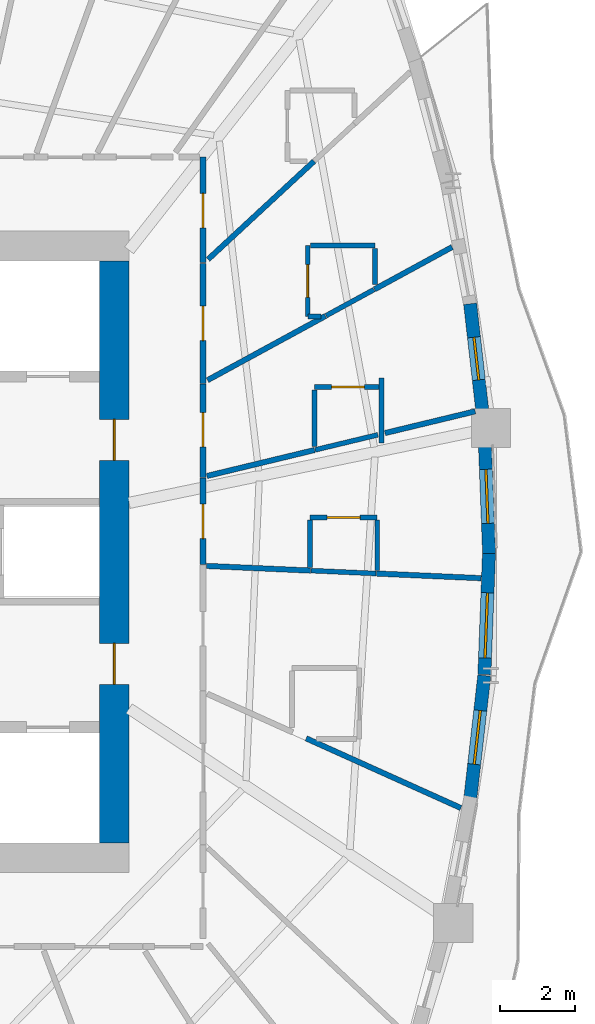
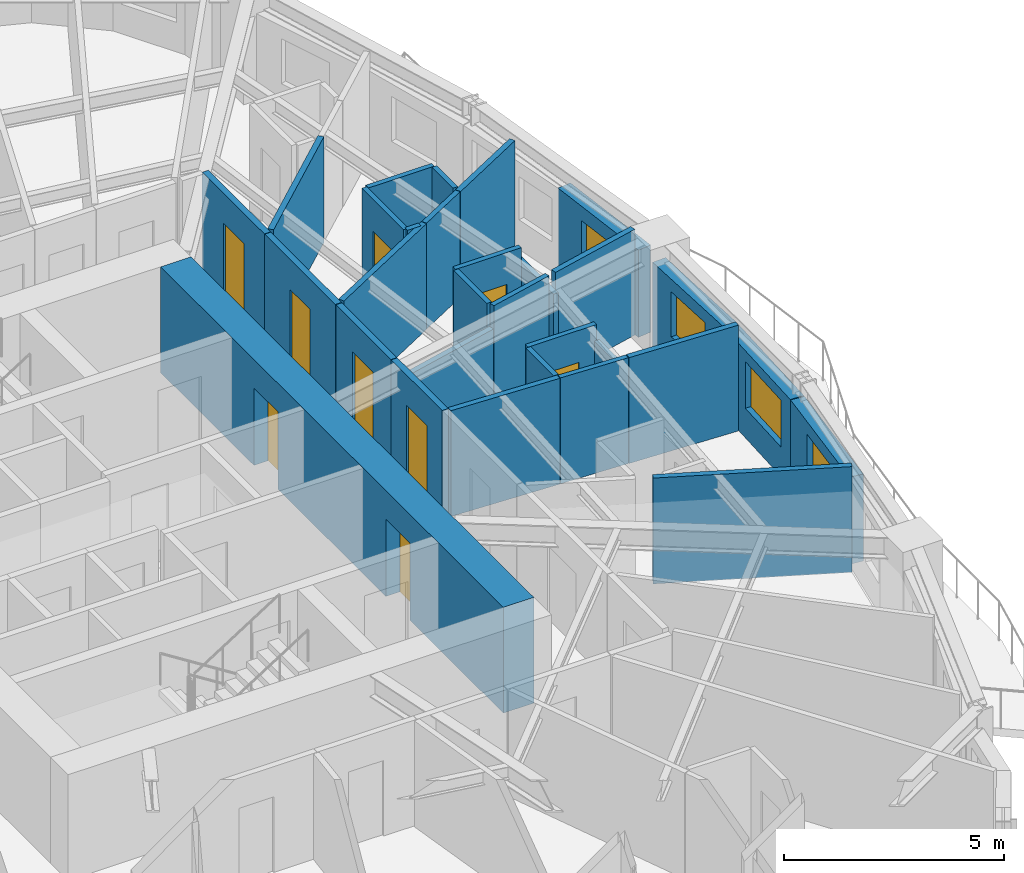
# One storey, part 7 of 14: 30 walls, 9 doors, 4 windows, 13 openings.
"""IFC4 building model written with IfcOpenShell, lengths in metres."""

from ifc_helpers import new_model, si_unit, direction, frame, frame_2d, origin, place, context, subcontext, project, spatial, rectangle, extrude, source, transform, mapped, material, layer, layer_set, type_object, element, fill, save


model = new_model("IFC4")

# Units and contexts
model_context = context("Model", 3, precision=1e-05, world=origin(), true_north=direction((0.0, 1.0)))
body_context = subcontext(model_context, "Body", "Model", "MODEL_VIEW")
ifc_project = project(units=[si_unit("LENGTHUNIT", "METRE"), si_unit("AREAUNIT", "SQUARE_METRE"), si_unit("VOLUMEUNIT", "CUBIC_METRE"), si_unit("PLANEANGLEUNIT", "RADIAN"), si_unit("MASSUNIT", "GRAM", prefix="KILO")], contexts=[model_context])

# Site, building, storey
site_placement = place(None, origin())
site = spatial("IfcSite", under=ifc_project, at=site_placement, CompositionType="ELEMENT")
building_placement = place(site_placement, origin())
building = spatial("IfcBuilding", under=site, at=building_placement, Name="Qafzar Sky-Pleat Residences", CompositionType="ELEMENT")
storey_placement = place(building_placement, frame((0.0, 0.0, 17.39990234375)))
storey = spatial("IfcBuildingStorey", under=building, at=storey_placement, Name="L04", CompositionType="ELEMENT", Elevation=17.39990234375)

# Wall, opening, door
ifc_material_1 = material(Name="Acoustic gypsum plasterboard partition", Category="gypsum")
ifc_layer_1 = layer(ifc_material_1, 0.159912109375)
ifc_layer_set_1 = layer_set([ifc_layer_1], Name="Acoustic gypsum plasterboard partition")
wall_type_1 = type_object("IfcWallType", Name="PART-COR-160", PredefinedType="PARTITIONING", material=ifc_layer_set_1)
wall_1_placement = place(storey_placement, frame((38.679931640625, 33.735107421875, 0.0), z_axis=(0.0, 0.0, 1.0), x_axis=(0.0, -1.0, 0.0)))
wall_1 = element("IfcWall", 1, at=wall_1_placement, inside=storey, type_object=wall_type_1, Name="L04 Partition Wall PART-L04-PW-007", PredefinedType="PARTITIONING", context=body_context, shape_type="SweptSolid", body=[
    extrude(rectangle(XDim=3.217041015625, YDim=0.159912109375, at=frame_2d((1.6083984375, 0.0))), origin(), (0.0, 0.0, 1.0), 2.940185546875),
])
opening_1_placement = place(wall_1_placement, frame((1.150390625, 0.0, 0.0)))
opening_1 = element("IfcOpeningElement", 2, at=opening_1_placement, cuts=wall_1, Name="Opening ID-04", PredefinedType="OPENING", context=body_context, shape_type="SweptSolid", body=[
    extrude(rectangle(XDim=0.919921875, YDim=2.10009765625, at=frame_2d((0.4599609375, 1.050048828125))), frame((0.0, 0.08984375, 0.0), z_axis=(0.0, -1.0, 0.0), x_axis=(1.0, 0.0, 0.0)), (0.0, 0.0, 1.0), 0.179931640625),
])
ifc_material_2 = material(Name="Timber-faced fire door", Category="wood")
door_type_1 = type_object("IfcDoorType", Name="DR-BED-920", OperationType="NOTDEFINED", PredefinedType="DOOR", material=ifc_material_2)
shared_shape_1 = source(origin(), body_context, "Body", "SweptSolid", [
    extrude(rectangle(XDim=0.919921875, YDim=2.10009765625, at=frame_2d((0.4599609375, 1.050048828125))), frame((0.0, 0.02490234375, 0.0), z_axis=(0.0, -1.0, 0.0), x_axis=(1.0, 0.0, 0.0)), (0.0, 0.0, 1.0), 0.050048828125),
])
door_1_placement = place(opening_1_placement, origin())
door_1 = element("IfcDoor", 3, at=door_1_placement, inside=storey, type_object=door_type_1, Name="L04 Co-Living Bedroom 14 Door", OperationType="SINGLE_SWING_RIGHT", OverallHeight=2.10009765625, OverallWidth=0.919921875, PredefinedType="DOOR", context=body_context, shape_type="MappedRepresentation", body=[
    mapped(shared_shape_1, transform((0.0, 0.0, 0.0), x_axis=(1.0, 0.0, 0.0), y_axis=(0.0, 1.0, 0.0), z_axis=(0.0, 0.0, 1.0), scale=1.0)),
])
fill(opening_1, door_1)

wall_2_placement = place(storey_placement, frame((38.679931640625, 36.580078125, 0.0), z_axis=(0.0, 0.0, 1.0), x_axis=(0.0, -1.0, 0.0)))
wall_2 = element("IfcWall", 4, at=wall_2_placement, inside=storey, type_object=wall_type_1, Name="L04 Partition Wall PART-L04-PW-009", PredefinedType="PARTITIONING", context=body_context, shape_type="SweptSolid", body=[
    extrude(rectangle(XDim=2.830078125, YDim=0.159912109375, at=frame_2d((1.4150390625, 0.0))), origin(), (0.0, 0.0, 1.0), 2.940185546875),
])
opening_2_placement = place(wall_2_placement, frame((0.972900390625, 0.0, 0.0)))
opening_2 = element("IfcOpeningElement", 5, at=opening_2_placement, cuts=wall_2, Name="Opening ID-04", PredefinedType="OPENING", context=body_context, shape_type="SweptSolid", body=[
    extrude(rectangle(XDim=0.919921875, YDim=2.10009765625, at=frame_2d((0.4599609375, 1.050048828125))), frame((0.0, 0.08984375, 0.0), z_axis=(0.0, -1.0, 0.0), x_axis=(1.0, 0.0, 0.0)), (0.0, 0.0, 1.0), 0.179931640625),
])
door_2_placement = place(opening_2_placement, origin())
door_2 = element("IfcDoor", 6, at=door_2_placement, inside=storey, type_object=door_type_1, Name="L04 Co-Living Bedroom 13 Door", OperationType="SINGLE_SWING_RIGHT", OverallHeight=2.10009765625, OverallWidth=0.919921875, PredefinedType="DOOR", context=body_context, shape_type="MappedRepresentation", body=[
    mapped(shared_shape_1, transform((0.0, 0.0, 0.0), x_axis=(1.0, 0.0, 0.0), y_axis=(0.0, 1.0, 0.0), z_axis=(0.0, 0.0, 1.0), scale=1.0)),
])
fill(opening_2, door_2)

wall_3_placement = place(storey_placement, frame((38.679931640625, 30.5029296875, 0.0), z_axis=(0.0, 0.0, 1.0), x_axis=(0.0, -1.0, 0.0)))
wall_3 = element("IfcWall", 7, at=wall_3_placement, inside=storey, type_object=wall_type_1, Name="L04 Partition Wall PART-L04-PW-012", PredefinedType="PARTITIONING", context=body_context, shape_type="SweptSolid", body=[
    extrude(rectangle(XDim=2.510009765625, YDim=0.159912109375, at=frame_2d((1.2548828125, 0.0))), origin(), (0.0, 0.0, 1.0), 2.940185546875),
])
opening_3_placement = place(wall_3_placement, frame((0.771484375, 0.0, 0.0)))
opening_3 = element("IfcOpeningElement", 8, at=opening_3_placement, cuts=wall_3, Name="Opening ID-04", PredefinedType="OPENING", context=body_context, shape_type="SweptSolid", body=[
    extrude(rectangle(XDim=0.919921875, YDim=2.10009765625, at=frame_2d((0.4599609375, 1.050048828125))), frame((0.0, 0.08984375, 0.0), z_axis=(0.0, -1.0, 0.0), x_axis=(1.0, 0.0, 0.0)), (0.0, 0.0, 1.0), 0.179931640625),
])
door_3_placement = place(opening_3_placement, origin())
door_3 = element("IfcDoor", 9, at=door_3_placement, inside=storey, type_object=door_type_1, Name="L04 Co-Living Bedroom 11 Door", OperationType="SINGLE_SWING_LEFT", OverallHeight=2.10009765625, OverallWidth=0.919921875, PredefinedType="DOOR", context=body_context, shape_type="MappedRepresentation", body=[
    mapped(shared_shape_1, transform((0.0, 0.0, 0.0), x_axis=(1.0, 0.0, 0.0), y_axis=(0.0, 1.0, 0.0), z_axis=(0.0, 0.0, 1.0), scale=1.0)),
])
fill(opening_3, door_3)

wall_4_placement = place(storey_placement, frame((38.679931640625, 27.97802734375, 0.0), z_axis=(0.0, 0.0, 1.0), x_axis=(0.0, -1.0, 0.0)))
wall_4 = element("IfcWall", 10, at=wall_4_placement, inside=storey, type_object=wall_type_1, Name="L04 Partition Wall PART-L04-PW-015", PredefinedType="PARTITIONING", context=body_context, shape_type="SweptSolid", body=[
    extrude(rectangle(XDim=2.321044921875, YDim=0.159912109375, at=frame_2d((1.16064453125, 0.0))), origin(), (0.0, 0.0, 1.0), 2.940185546875),
])
opening_4_placement = place(wall_4_placement, frame((0.700439453125, 0.0, 0.0)))
opening_4 = element("IfcOpeningElement", 11, at=opening_4_placement, cuts=wall_4, Name="Opening ID-04", PredefinedType="OPENING", context=body_context, shape_type="SweptSolid", body=[
    extrude(rectangle(XDim=0.919921875, YDim=2.10009765625, at=frame_2d((0.4599609375, 1.050048828125))), frame((0.0, 0.08984375, 0.0), z_axis=(0.0, -1.0, 0.0), x_axis=(1.0, 0.0, 0.0)), (0.0, 0.0, 1.0), 0.179931640625),
])
door_4_placement = place(opening_4_placement, origin())
door_4 = element("IfcDoor", 12, at=door_4_placement, inside=storey, type_object=door_type_1, Name="L04 Co-Living Bedroom 12 Door", OperationType="SINGLE_SWING_RIGHT", OverallHeight=2.10009765625, OverallWidth=0.919921875, PredefinedType="DOOR", context=body_context, shape_type="MappedRepresentation", body=[
    mapped(shared_shape_1, transform((0.0, 0.0, 0.0), x_axis=(1.0, 0.0, 0.0), y_axis=(0.0, 1.0, 0.0), z_axis=(0.0, 0.0, 1.0), scale=1.0)),
])
fill(opening_4, door_4)

# Walls
ifc_layer_2 = layer(ifc_material_1, 0.14501953125)
ifc_layer_set_2 = layer_set([ifc_layer_2], Name="Acoustic gypsum plasterboard partition")
wall_type_2 = type_object("IfcWallType", Name="PART-UNIT-145", PredefinedType="PARTITIONING", material=ifc_layer_set_2)
wall_5_placement = place(storey_placement, frame((41.447998046875, 21.0009765625, 0.0), z_axis=(0.0, 0.0, 1.0), x_axis=(0.911733501253, -0.410782208346, 0.0)))
element("IfcWall", 13, at=wall_5_placement, inside=storey, type_object=wall_type_2, Name="L04 Partition Wall PART-L04-PW-051", PredefinedType="PARTITIONING", context=body_context, shape_type="SweptSolid", body=[
    extrude(rectangle(XDim=4.546142578125, YDim=0.14501953125, at=frame_2d((2.27294921875, 0.0))), origin(), (0.0, 0.0, 1.0), 2.940185546875),
])
wall_6_placement = place(storey_placement, frame((38.815185546875, 33.839111328125, 0.0), z_axis=(0.0, 0.0, 1.0), x_axis=(0.733718730688, 0.67945332749, 0.0)))
element("IfcWall", 14, at=wall_6_placement, inside=storey, type_object=wall_type_2, Name="L04 Partition Wall PART-L04-PW-054", PredefinedType="PARTITIONING", context=body_context, shape_type="SweptSolid", body=[
    extrude(rectangle(XDim=3.869140625, YDim=0.14501953125, at=frame_2d((1.9345703125, 0.0))), origin(), (0.0, 0.0, 1.0), 2.940185546875),
])
wall_7_placement = place(storey_placement, frame((38.8017578125, 30.601318359375, 0.0), z_axis=(0.0, 0.0, 1.0), x_axis=(0.878335610987, 0.478044510973, 0.0)))
element("IfcWall", 15, at=wall_7_placement, inside=storey, type_object=wall_type_2, Name="L04 Partition Wall PART-L04-PW-055", PredefinedType="PARTITIONING", context=body_context, shape_type="SweptSolid", body=[
    extrude(rectangle(XDim=3.6015625, YDim=0.14501953125, at=frame_2d((1.80078125, 0.0))), origin(), (0.0, 0.0, 1.0), 2.940185546875),
])
wall_8_placement = place(storey_placement, frame((38.784912109375, 28.033203125, 0.0), z_axis=(0.0, 0.0, 1.0), x_axis=(0.972108739033, 0.234530593943, 0.0)))
element("IfcWall", 16, at=wall_8_placement, inside=storey, type_object=wall_type_2, Name="L04 Partition Wall PART-L04-PW-059", PredefinedType="PARTITIONING", context=body_context, shape_type="SweptSolid", body=[
    extrude(rectangle(XDim=2.966796875, YDim=0.14501953125, at=frame_2d((1.4833984375, 0.0))), origin(), (0.0, 0.0, 1.0), 2.30810546875),
])
wall_9_placement = place(storey_placement, frame((38.771240234375, 25.622802734375, 0.0), z_axis=(0.0, 0.0, 1.0), x_axis=(0.999004404192, -0.044611662199, 0.0)))
element("IfcWall", 17, at=wall_9_placement, inside=storey, type_object=wall_type_2, Name="L04 Partition Wall PART-L04-PW-061", PredefinedType="PARTITIONING", context=body_context, shape_type="SweptSolid", body=[
    extrude(rectangle(XDim=2.79638671875, YDim=0.14501953125, at=frame_2d((1.398193359375, 0.0))), origin(), (0.0, 0.0, 1.0), 2.940185546875),
])
wall_10_placement = place(storey_placement, frame((43.3349609375, 25.4189453125, 0.0), z_axis=(0.0, 0.0, 1.0), x_axis=(0.999002708223, -0.04464962444, 0.0)))
element("IfcWall", 18, at=wall_10_placement, inside=storey, type_object=wall_type_2, Name="L04 Partition Wall PART-L04-PW-062", PredefinedType="PARTITIONING", context=body_context, shape_type="SweptSolid", body=[
    extrude(rectangle(XDim=2.804931640625, YDim=0.14501953125, at=frame_2d((1.40234375, 0.0))), origin(), (0.0, 0.0, 1.0), 2.940185546875),
])
wall_11_placement = place(storey_placement, frame((43.558837890625, 29.18359375, 0.0), z_axis=(0.0, 0.0, 1.0), x_axis=(0.972124665715, 0.23446456941, 0.0)))
element("IfcWall", 19, at=wall_11_placement, inside=storey, type_object=wall_type_2, Name="L04 Partition Wall PART-L04-PW-064", PredefinedType="PARTITIONING", context=body_context, shape_type="SweptSolid", body=[
    extrude(rectangle(XDim=2.486572265625, YDim=0.14501953125, at=frame_2d((1.2431640625, 0.0))), origin(), (0.0, 0.0, 1.0), 2.940185546875),
])
wall_12_placement = place(storey_placement, frame((43.27490234375, 33.035888671875, 0.0), z_axis=(0.0, 0.0, 1.0), x_axis=(0.878237509553, 0.478224713721, 0.0)))
element("IfcWall", 20, at=wall_12_placement, inside=storey, type_object=wall_type_2, Name="L04 Partition Wall PART-L04-PW-065", PredefinedType="PARTITIONING", context=body_context, shape_type="SweptSolid", body=[
    extrude(rectangle(XDim=2.372314453125, YDim=0.14501953125, at=frame_2d((1.18603515625, 0.0))), origin(), (0.0, 0.0, 1.0), 2.940185546875),
])

# Wall, opening, door
ifc_material_3 = material(Name="Moisture-resistant gypsum partition", Category="gypsum")
ifc_layer_3 = layer(ifc_material_3, 0.1298828125)
ifc_layer_set_3 = layer_set([ifc_layer_3], Name="Moisture-resistant gypsum partition")
wall_type_3 = type_object("IfcWallType", Name="PART-WET-130", PredefinedType="PARTITIONING", material=ifc_layer_set_3)
wall_13_placement = place(storey_placement, frame((41.489990234375, 34.2080078125, 0.0), z_axis=(0.0, 0.0, 1.0), x_axis=(0.0, -1.0, 0.0)))
wall_13 = element("IfcWall", 21, at=wall_13_placement, inside=storey, type_object=wall_type_3, Name="L04 Partition Wall PART-L04-PW-025", PredefinedType="PARTITIONING", context=body_context, shape_type="SweptSolid", body=[
    extrude(rectangle(XDim=1.89990234375, YDim=0.1298828125, at=frame_2d((0.949951171875, 0.0))), origin(), (0.0, 0.0, 1.0), 2.940185546875),
])
opening_5_placement = place(wall_13_placement, frame((0.510009765625, 0.0, 0.0)))
opening_5 = element("IfcOpeningElement", 22, at=opening_5_placement, cuts=wall_13, Name="Opening ID-07", PredefinedType="OPENING", context=body_context, shape_type="SweptSolid", body=[
    extrude(rectangle(XDim=0.8798828125, YDim=2.050048828125, at=frame_2d((0.43994140625, 1.02490234375))), frame((0.0, 0.074951171875, 0.0), z_axis=(0.0, -1.0, 0.0), x_axis=(1.0, 0.0, 0.0)), (0.0, 0.0, 1.0), 0.14990234375),
])
door_type_2 = type_object("IfcDoorType", Name="DR-WET-880", OperationType="NOTDEFINED", PredefinedType="DOOR", material=ifc_material_2)
shared_shape_2 = source(origin(), body_context, "Body", "SweptSolid", [
    extrude(rectangle(XDim=0.8798828125, YDim=2.050048828125, at=frame_2d((0.43994140625, 1.02490234375))), frame((0.0, 0.02490234375, 0.0), z_axis=(0.0, -1.0, 0.0), x_axis=(1.0, 0.0, 0.0)), (0.0, 0.0, 1.0), 0.050048828125),
])
door_5_placement = place(opening_5_placement, origin())
door_5 = element("IfcDoor", 23, at=door_5_placement, inside=storey, type_object=door_type_2, Name="L04 En-suite Bathroom 14 Door", OperationType="SINGLE_SWING_RIGHT", OverallHeight=2.050048828125, OverallWidth=0.8798828125, PredefinedType="DOOR", context=body_context, shape_type="MappedRepresentation", body=[
    mapped(shared_shape_2, transform((0.0, 0.0, 0.0), x_axis=(1.0, 0.0, 0.0), y_axis=(0.0, 1.0, 0.0), z_axis=(0.0, 0.0, 1.0), scale=1.0)),
])
fill(opening_5, door_5)

wall_14_placement = place(storey_placement, frame((43.39599609375, 30.41796875, 0.0), z_axis=(0.0, 0.0, 1.0), x_axis=(-1.0, 0.0, 0.0)))
wall_14 = element("IfcWall", 24, at=wall_14_placement, inside=storey, type_object=wall_type_3, Name="L04 Partition Wall PART-L04-PW-027", PredefinedType="PARTITIONING", context=body_context, shape_type="SweptSolid", body=[
    extrude(rectangle(XDim=1.72705078125, YDim=0.1298828125, at=frame_2d((0.863525390625, 0.0))), origin(), (0.0, 0.0, 1.0), 2.940185546875),
])
opening_6_placement = place(wall_14_placement, frame((0.386962890625, 0.0, 0.0)))
opening_6 = element("IfcOpeningElement", 25, at=opening_6_placement, cuts=wall_14, Name="Opening ID-07", PredefinedType="OPENING", context=body_context, shape_type="SweptSolid", body=[
    extrude(rectangle(XDim=0.8798828125, YDim=2.050048828125, at=frame_2d((0.43994140625, 1.02490234375))), frame((0.0, 0.074951171875, 0.0), z_axis=(0.0, -1.0, 0.0), x_axis=(1.0, 0.0, 0.0)), (0.0, 0.0, 1.0), 0.14990234375),
])
door_6_placement = place(opening_6_placement, origin())
door_6 = element("IfcDoor", 26, at=door_6_placement, inside=storey, type_object=door_type_2, Name="L04 En-suite Bathroom 11 Door", OperationType="SINGLE_SWING_RIGHT", OverallHeight=2.050048828125, OverallWidth=0.8798828125, PredefinedType="DOOR", context=body_context, shape_type="MappedRepresentation", body=[
    mapped(shared_shape_2, transform((0.0, 0.0, 0.0), x_axis=(1.0, 0.0, 0.0), y_axis=(0.0, 1.0, 0.0), z_axis=(0.0, 0.0, 1.0), scale=1.0)),
])
fill(opening_6, door_6)

wall_15_placement = place(storey_placement, frame((43.35009765625, 26.922119140625, 0.0), z_axis=(0.0, 0.0, 1.0), x_axis=(-1.0, 0.0, 0.0)))
wall_15 = element("IfcWall", 27, at=wall_15_placement, inside=storey, type_object=wall_type_3, Name="L04 Partition Wall PART-L04-PW-028", PredefinedType="PARTITIONING", context=body_context, shape_type="SweptSolid", body=[
    extrude(rectangle(XDim=1.800048828125, YDim=0.1298828125, at=frame_2d((0.89990234375, 0.0))), origin(), (0.0, 0.0, 1.0), 2.940185546875),
])
opening_7_placement = place(wall_15_placement, frame((0.4599609375, 0.0, 0.0)))
opening_7 = element("IfcOpeningElement", 28, at=opening_7_placement, cuts=wall_15, Name="Opening ID-07", PredefinedType="OPENING", context=body_context, shape_type="SweptSolid", body=[
    extrude(rectangle(XDim=0.8798828125, YDim=2.050048828125, at=frame_2d((0.43994140625, 1.02490234375))), frame((0.0, 0.074951171875, 0.0), z_axis=(0.0, -1.0, 0.0), x_axis=(1.0, 0.0, 0.0)), (0.0, 0.0, 1.0), 0.14990234375),
])
door_7_placement = place(opening_7_placement, origin())
door_7 = element("IfcDoor", 29, at=door_7_placement, inside=storey, type_object=door_type_2, Name="L04 En-suite Bathroom 12 Door", OperationType="SINGLE_SWING_LEFT", OverallHeight=2.050048828125, OverallWidth=0.8798828125, PredefinedType="DOOR", context=body_context, shape_type="MappedRepresentation", body=[
    mapped(shared_shape_2, transform((0.0, 0.0, 0.0), x_axis=(1.0, 0.0, 0.0), y_axis=(0.0, 1.0, 0.0), z_axis=(0.0, 0.0, 1.0), scale=1.0)),
])
fill(opening_7, door_7)

# Walls
wall_16_placement = place(storey_placement, frame((41.68359375, 28.732421875, 0.0), z_axis=(0.0, 0.0, 1.0), x_axis=(0.972269386076, 0.233863722924, 0.0)))
element("IfcWall", 30, at=wall_16_placement, inside=storey, type_object=wall_type_3, Name="L04 Partition Wall PART-L04-PW-071", PredefinedType="PARTITIONING", context=body_context, shape_type="SweptSolid", body=[
    extrude(rectangle(XDim=1.73095703125, YDim=0.1298828125, at=frame_2d((0.865478515625, 0.0))), origin(), (0.0, 0.0, 1.0), 2.940185546875),
])
wall_17_placement = place(storey_placement, frame((41.56298828125, 34.2080078125, 0.0), z_axis=(0.0, 0.0, 1.0), x_axis=(1.0, 0.0, 0.0)))
element("IfcWall", 31, at=wall_17_placement, inside=storey, type_object=wall_type_3, Name="L04 Partition Wall PART-L04-PW-078", PredefinedType="PARTITIONING", context=body_context, shape_type="SweptSolid", body=[
    extrude(rectangle(XDim=1.72705078125, YDim=0.1298828125, at=frame_2d((0.863525390625, 0.0))), origin(), (0.0, 0.0, 1.0), 2.940185546875),
])
wall_18_placement = place(storey_placement, frame((41.580078125, 25.4970703125, 0.0), z_axis=(0.0, 0.0, 1.0), x_axis=(0.998993531001, -0.04485448715, 0.0)))
element("IfcWall", 32, at=wall_18_placement, inside=storey, type_object=wall_type_3, Name="L04 Partition Wall PART-L04-PW-081", PredefinedType="PARTITIONING", context=body_context, shape_type="SweptSolid", body=[
    extrude(rectangle(XDim=1.74169921875, YDim=0.1298828125, at=frame_2d((0.870849609375, 0.0))), origin(), (0.0, 0.0, 1.0), 2.940185546875),
])
wall_19_placement = place(storey_placement, frame((41.6689453125, 28.827392578125, 0.0), z_axis=(0.0, 0.0, 1.0), x_axis=(0.0, 1.0, 0.0)))
element("IfcWall", 33, at=wall_19_placement, inside=storey, type_object=wall_type_3, Name="L04 Partition Wall PART-L04-PW-083", PredefinedType="PARTITIONING", context=body_context, shape_type="SweptSolid", body=[
    extrude(rectangle(XDim=1.517578125, YDim=0.1298828125, at=frame_2d((0.7587890625, 0.0))), origin(), (0.0, 0.0, 1.0), 2.940185546875),
])
wall_20_placement = place(storey_placement, frame((43.35009765625, 25.50146484375, 0.0), z_axis=(0.0, 0.0, 1.0), x_axis=(0.0, 1.0, 0.0)))
element("IfcWall", 34, at=wall_20_placement, inside=storey, type_object=wall_type_3, Name="L04 Partition Wall PART-L04-PW-086", PredefinedType="PARTITIONING", context=body_context, shape_type="SweptSolid", body=[
    extrude(rectangle(XDim=1.34765625, YDim=0.1298828125, at=frame_2d((0.673828125, 0.0))), origin(), (0.0, 0.0, 1.0), 2.508056640625),
])
wall_21_placement = place(storey_placement, frame((41.978271484375, 32.330078125, 0.0), z_axis=(0.0, 0.0, 1.0), x_axis=(0.878138043068, 0.478407334097, 0.0)))
element("IfcWall", 35, at=wall_21_placement, inside=storey, type_object=wall_type_3, Name="L04 Partition Wall PART-L04-PW-088", PredefinedType="PARTITIONING", context=body_context, shape_type="SweptSolid", body=[
    extrude(rectangle(XDim=1.461669921875, YDim=0.1298828125, at=frame_2d((0.73095703125, 0.0))), origin(), (0.0, 0.0, 1.0), 2.940185546875),
])
wall_22_placement = place(storey_placement, frame((41.550048828125, 25.58251953125, 0.0), z_axis=(0.0, 0.0, 1.0), x_axis=(0.0, 1.0, 0.0)))
element("IfcWall", 36, at=wall_22_placement, inside=storey, type_object=wall_type_3, Name="L04 Partition Wall PART-L04-PW-090", PredefinedType="PARTITIONING", context=body_context, shape_type="SweptSolid", body=[
    extrude(rectangle(XDim=1.2666015625, YDim=0.1298828125, at=frame_2d((0.63330078125, 0.0))), origin(), (0.0, 0.0, 1.0), 2.940185546875),
])
wall_23_placement = place(storey_placement, frame((43.468994140625, 28.922119140625, 0.0), z_axis=(0.0, 0.0, 1.0), x_axis=(0.0, 1.0, 0.0)))
element("IfcWall", 37, at=wall_23_placement, inside=storey, type_object=wall_type_3, Name="L04 Partition Wall PART-L04-PW-093", PredefinedType="PARTITIONING", context=body_context, shape_type="SweptSolid", body=[
    extrude(rectangle(XDim=1.73583984375, YDim=0.1298828125, at=frame_2d((0.867919921875, 0.0))), origin(), (0.0, 0.0, 1.0), 2.508056640625),
])
wall_24_placement = place(storey_placement, frame((43.2900390625, 33.1708984375, 0.0), z_axis=(0.0, 0.0, 1.0), x_axis=(0.0, 1.0, 0.0)))
element("IfcWall", 38, at=wall_24_placement, inside=storey, type_object=wall_type_3, Name="L04 Partition Wall PART-L04-PW-095", PredefinedType="PARTITIONING", context=body_context, shape_type="SweptSolid", body=[
    extrude(rectangle(XDim=0.964111328125, YDim=0.1298828125, at=frame_2d((0.48193359375, 0.0))), origin(), (0.0, 0.0, 1.0), 2.940185546875),
])
wall_25_placement = place(storey_placement, frame((41.489990234375, 32.30810546875, 0.0), z_axis=(0.0, 0.0, 1.0), x_axis=(1.0, 0.0, 0.0)))
element("IfcWall", 39, at=wall_25_placement, inside=storey, type_object=wall_type_3, Name="L04 Partition Wall PART-L04-PW-101", PredefinedType="PARTITIONING", context=body_context, shape_type="SweptSolid", body=[
    extrude(rectangle(XDim=0.35693359375, YDim=0.1298828125, at=frame_2d((0.178466796875, 0.0))), origin(), (0.0, 0.0, 1.0), 2.940185546875),
])

# Wall, opening, window
ifc_material_4 = material(Name="Precast concrete C40/50 with honed Riyadh limestone", Category="concrete")
ifc_layer_4 = layer(ifc_material_4, 0.35009765625)
ifc_layer_set_4 = layer_set([ifc_layer_4], Name="Precast concrete C40/50 with honed Riyadh limestone")
wall_type_4 = type_object("IfcWallType", Name="WALL-EXT-350", PredefinedType="SOLIDWALL", material=ifc_layer_set_4)
wall_26_placement = place(storey_placement, frame((45.840576171875, 19.35009765625, 0.0), z_axis=(0.0, 0.0, 1.0), x_axis=(0.113290074291, 0.993561955324, 0.0)))
wall_26 = element("IfcWall", 40, at=wall_26_placement, inside=storey, type_object=wall_type_4, Name="L04 Limestone Facade Wall 26", PredefinedType="SOLIDWALL", context=body_context, shape_type="SweptSolid", body=[
    extrude(rectangle(XDim=3.355224609375, YDim=0.35009765625, at=frame_2d((1.677734375, 0.0))), origin(), (0.0, 0.0, 1.0), 2.420166015625),
])
opening_8_placement = place(wall_26_placement, frame((0.962646484375, 0.0, 0.820068359375)))
opening_8 = element("IfcOpeningElement", 41, at=opening_8_placement, cuts=wall_26, Name="Opening WN-15", PredefinedType="OPENING", context=body_context, shape_type="SweptSolid", body=[
    extrude(rectangle(XDim=1.449951171875, YDim=1.25, at=frame_2d((0.72509765625, 0.625))), frame((0.0, 0.18505859375, 0.0), z_axis=(0.0, -1.0, 0.0), x_axis=(1.0, 0.0, 0.0)), (0.0, 0.0, 1.0), 0.3701171875),
])
ifc_material_5 = material(Name="Solar-control low-E glass in bronze aluminium frame", Category="glass")
window_type_1 = type_object("IfcWindowType", Name="WIN-15", PartitioningType="SINGLE_PANEL", PredefinedType="WINDOW", material=ifc_material_5)
shared_shape_3 = source(origin(), body_context, "Body", "SweptSolid", [
    extrude(rectangle(XDim=1.449951171875, YDim=1.25, at=frame_2d((0.72509765625, 0.625))), frame((0.0, 0.030029296875, 0.0), z_axis=(0.0, -1.0, 0.0), x_axis=(1.0, 0.0, 0.0)), (0.0, 0.0, 1.0), 0.06005859375),
])
window_1_placement = place(opening_8_placement, origin())
window_1 = element("IfcWindow", 42, at=window_1_placement, inside=storey, type_object=window_type_1, Name="L04 Punched Facade Window 26", OverallHeight=1.25, OverallWidth=1.449951171875, PartitioningType="SINGLE_PANEL", PredefinedType="WINDOW", context=body_context, shape_type="MappedRepresentation", body=[
    mapped(shared_shape_3, transform((0.0, 0.0, 0.0), x_axis=(1.0, 0.0, 0.0), y_axis=(0.0, 1.0, 0.0), z_axis=(0.0, 0.0, 1.0), scale=1.0)),
])
fill(opening_8, window_1)

wall_27_placement = place(storey_placement, frame((46.22265625, 22.710693359375, 0.0), z_axis=(0.0, 0.0, 1.0), x_axis=(0.037977854684, 0.999278581054, 0.0)))
wall_27 = element("IfcWall", 43, at=wall_27_placement, inside=storey, type_object=wall_type_4, Name="L04 Limestone Facade Wall 27", PredefinedType="SOLIDWALL", context=body_context, shape_type="SweptSolid", body=[
    extrude(rectangle(XDim=3.33642578125, YDim=0.35009765625, at=frame_2d((1.668212890625, 0.0))), origin(), (0.0, 0.0, 1.0), 2.420166015625),
])
opening_9_placement = place(wall_27_placement, frame((0.443603515625, 0.0, 0.820068359375)))
opening_9 = element("IfcOpeningElement", 44, at=opening_9_placement, cuts=wall_27, Name="Opening WN-14", PredefinedType="OPENING", context=body_context, shape_type="SweptSolid", body=[
    extrude(rectangle(XDim=1.75, YDim=1.300048828125, at=frame_2d((0.875, 0.64990234375))), frame((0.0, 0.18505859375, 0.0), z_axis=(0.0, -1.0, 0.0), x_axis=(1.0, 0.0, 0.0)), (0.0, 0.0, 1.0), 0.3701171875),
])
window_type_2 = type_object("IfcWindowType", Name="WIN-14", PartitioningType="DOUBLE_PANEL_VERTICAL", PredefinedType="WINDOW", material=ifc_material_5)
shared_shape_4 = source(origin(), body_context, "Body", "SweptSolid", [
    extrude(rectangle(XDim=1.75, YDim=1.300048828125, at=frame_2d((0.875, 0.64990234375))), frame((0.0, 0.030029296875, 0.0), z_axis=(0.0, -1.0, 0.0), x_axis=(1.0, 0.0, 0.0)), (0.0, 0.0, 1.0), 0.06005859375),
])
window_2_placement = place(opening_9_placement, origin())
window_2 = element("IfcWindow", 45, at=window_2_placement, inside=storey, type_object=window_type_2, Name="L04 Punched Facade Window 27", OverallHeight=1.300048828125, OverallWidth=1.75, PartitioningType="SINGLE_PANEL", PredefinedType="WINDOW", context=body_context, shape_type="MappedRepresentation", body=[
    mapped(shared_shape_4, transform((0.0, 0.0, 0.0), x_axis=(1.0, 0.0, 0.0), y_axis=(0.0, 1.0, 0.0), z_axis=(0.0, 0.0, 1.0), scale=1.0)),
])
fill(opening_9, window_2)

wall_28_placement = place(storey_placement, frame((46.349365234375, 25.955322265625, 0.0), z_axis=(0.0, 0.0, 1.0), x_axis=(-0.038022046735, 0.999276900545, 0.0)))
wall_28 = element("IfcWall", 46, at=wall_28_placement, inside=storey, type_object=wall_type_4, Name="L04 Limestone Facade Wall 28", PredefinedType="SOLIDWALL", context=body_context, shape_type="SweptSolid", body=[
    extrude(rectangle(XDim=3.056396484375, YDim=0.35009765625, at=frame_2d((1.5283203125, 0.0))), origin(), (0.0, 0.0, 1.0), 2.420166015625),
])
opening_10_placement = place(wall_28_placement, frame((0.80810546875, 0.0, 0.820068359375)))
opening_10 = element("IfcOpeningElement", 47, at=opening_10_placement, cuts=wall_28, Name="Opening WN-15", PredefinedType="OPENING", context=body_context, shape_type="SweptSolid", body=[
    extrude(rectangle(XDim=1.449951171875, YDim=1.25, at=frame_2d((0.72509765625, 0.625))), frame((0.0, 0.18505859375, 0.0), z_axis=(0.0, -1.0, 0.0), x_axis=(1.0, 0.0, 0.0)), (0.0, 0.0, 1.0), 0.3701171875),
])
window_3_placement = place(opening_10_placement, origin())
window_3 = element("IfcWindow", 48, at=window_3_placement, inside=storey, type_object=window_type_1, Name="L04 Punched Facade Window 28", OverallHeight=1.25, OverallWidth=1.449951171875, PartitioningType="SINGLE_PANEL", PredefinedType="WINDOW", context=body_context, shape_type="MappedRepresentation", body=[
    mapped(shared_shape_3, transform((0.0, 0.0, 0.0), x_axis=(1.0, 0.0, 0.0), y_axis=(0.0, 1.0, 0.0), z_axis=(0.0, 0.0, 1.0), scale=1.0)),
])
fill(opening_10, window_3)

wall_29_placement = place(storey_placement, frame((46.188720703125, 29.59423828125, 0.0), z_axis=(0.0, 0.0, 1.0), x_axis=(-0.113201797404, 0.99357201705, 0.0)))
wall_29 = element("IfcWall", 49, at=wall_29_placement, inside=storey, type_object=wall_type_4, Name="L04 Limestone Facade Wall 29", PredefinedType="SOLIDWALL", context=body_context, shape_type="SweptSolid", body=[
    extrude(rectangle(XDim=3.075439453125, YDim=0.35009765625, at=frame_2d((1.53759765625, 0.0))), origin(), (0.0, 0.0, 1.0), 2.420166015625),
])
opening_11_placement = place(wall_29_placement, frame((1.022216796875, 0.0, 0.820068359375)))
opening_11 = element("IfcOpeningElement", 50, at=opening_11_placement, cuts=wall_29, Name="Opening WN-16", PredefinedType="OPENING", context=body_context, shape_type="SweptSolid", body=[
    extrude(rectangle(XDim=1.14990234375, YDim=1.199951171875, at=frame_2d((0.574951171875, 0.60009765625))), frame((0.0, 0.18505859375, 0.0), z_axis=(0.0, -1.0, 0.0), x_axis=(1.0, 0.0, 0.0)), (0.0, 0.0, 1.0), 0.3701171875),
])
window_type_3 = type_object("IfcWindowType", Name="WIN-16", PartitioningType="SINGLE_PANEL", PredefinedType="WINDOW", material=ifc_material_5)
shared_shape_5 = source(origin(), body_context, "Body", "SweptSolid", [
    extrude(rectangle(XDim=1.14990234375, YDim=1.199951171875, at=frame_2d((0.574951171875, 0.60009765625))), frame((0.0, 0.030029296875, 0.0), z_axis=(0.0, -1.0, 0.0), x_axis=(1.0, 0.0, 0.0)), (0.0, 0.0, 1.0), 0.06005859375),
])
window_4_placement = place(opening_11_placement, origin())
window_4 = element("IfcWindow", 51, at=window_4_placement, inside=storey, type_object=window_type_3, Name="L04 Punched Facade Window 29", OverallHeight=1.199951171875, OverallWidth=1.14990234375, PartitioningType="SINGLE_PANEL", PredefinedType="WINDOW", context=body_context, shape_type="MappedRepresentation", body=[
    mapped(shared_shape_5, transform((0.0, 0.0, 0.0), x_axis=(1.0, 0.0, 0.0), y_axis=(0.0, 1.0, 0.0), z_axis=(0.0, 0.0, 1.0), scale=1.0)),
])
fill(opening_11, window_4)

# Wall, openings, doors
ifc_material_6 = material(Name="Concrete C60/75", Category="concrete")
ifc_layer_5 = layer(ifc_material_6, 0.800048828125)
ifc_layer_set_5 = layer_set([ifc_layer_5], Name="Concrete C60/75")
wall_type_5 = type_object("IfcWallType", Name="WALL-SHEAR-800", PredefinedType="SHEAR", material=ifc_layer_set_5)
wall_30_placement = place(storey_placement, frame((36.300048828125, 18.199951171875, 0.0), z_axis=(0.0, 0.0, 1.0), x_axis=(0.0, 1.0, 0.0)))
wall_30 = element("IfcWall", 52, at=wall_30_placement, inside=storey, type_object=wall_type_5, Name="L04 CORE wall E", PredefinedType="SHEAR", context=body_context, shape_type="SweptSolid", body=[
    extrude(rectangle(XDim=15.60009765625, YDim=0.800048828125, at=frame_2d((7.800048828125, 0.0))), origin(), (0.0, 0.0, 1.0), 2.940185546875),
])
opening_12_placement = place(wall_30_placement, frame((4.25, 0.0, 0.0)))
opening_12 = element("IfcOpeningElement", 53, at=opening_12_placement, cuts=wall_30, Name="Opening ID-02", PredefinedType="OPENING", context=body_context, shape_type="SweptSolid", body=[
    extrude(rectangle(XDim=1.10009765625, YDim=2.14990234375, at=frame_2d((0.550048828125, 1.074951171875))), frame((0.0, 0.41015625, 0.0), z_axis=(0.0, -1.0, 0.0), x_axis=(1.0, 0.0, 0.0)), (0.0, 0.0, 1.0), 0.820068359375),
])
opening_13_placement = place(wall_30_placement, frame((10.25, 0.0, 0.0)))
opening_13 = element("IfcOpeningElement", 54, at=opening_13_placement, cuts=wall_30, Name="Opening ID-02", PredefinedType="OPENING", context=body_context, shape_type="SweptSolid", body=[
    extrude(rectangle(XDim=1.10009765625, YDim=2.14990234375, at=frame_2d((0.550048828125, 1.074951171875))), frame((0.0, 0.41015625, 0.0), z_axis=(0.0, -1.0, 0.0), x_axis=(1.0, 0.0, 0.0)), (0.0, 0.0, 1.0), 0.820068359375),
])
door_type_3 = type_object("IfcDoorType", Name="DR-FFL-1100", OperationType="NOTDEFINED", PredefinedType="DOOR", material=ifc_material_2)
shared_shape_6 = source(origin(), body_context, "Body", "SweptSolid", [
    extrude(rectangle(XDim=1.10009765625, YDim=2.14990234375, at=frame_2d((0.550048828125, 1.074951171875))), frame((0.0, 0.02490234375, 0.0), z_axis=(0.0, -1.0, 0.0), x_axis=(1.0, 0.0, 0.0)), (0.0, 0.0, 1.0), 0.050048828125),
])
door_8_placement = place(opening_12_placement, origin())
door_8 = element("IfcDoor", 55, at=door_8_placement, inside=storey, type_object=door_type_3, Name="L04 Firefighting Lobby South Corridor Door", OperationType="SINGLE_SWING_RIGHT", OverallHeight=2.14990234375, OverallWidth=1.10009765625, PredefinedType="DOOR", context=body_context, shape_type="MappedRepresentation", body=[
    mapped(shared_shape_6, transform((0.0, 0.0, 0.0), x_axis=(1.0, 0.0, 0.0), y_axis=(0.0, 1.0, 0.0), z_axis=(0.0, 0.0, 1.0), scale=1.0)),
])
fill(opening_12, door_8)
door_9_placement = place(opening_13_placement, origin())
door_9 = element("IfcDoor", 56, at=door_9_placement, inside=storey, type_object=door_type_3, Name="L04 Firefighting Lobby North Corridor Door", OperationType="SINGLE_SWING_LEFT", OverallHeight=2.14990234375, OverallWidth=1.10009765625, PredefinedType="DOOR", context=body_context, shape_type="MappedRepresentation", body=[
    mapped(shared_shape_6, transform((0.0, 0.0, 0.0), x_axis=(1.0, 0.0, 0.0), y_axis=(0.0, 1.0, 0.0), z_axis=(0.0, 0.0, 1.0), scale=1.0)),
])
fill(opening_13, door_9)

save(model, "model.ifc")
